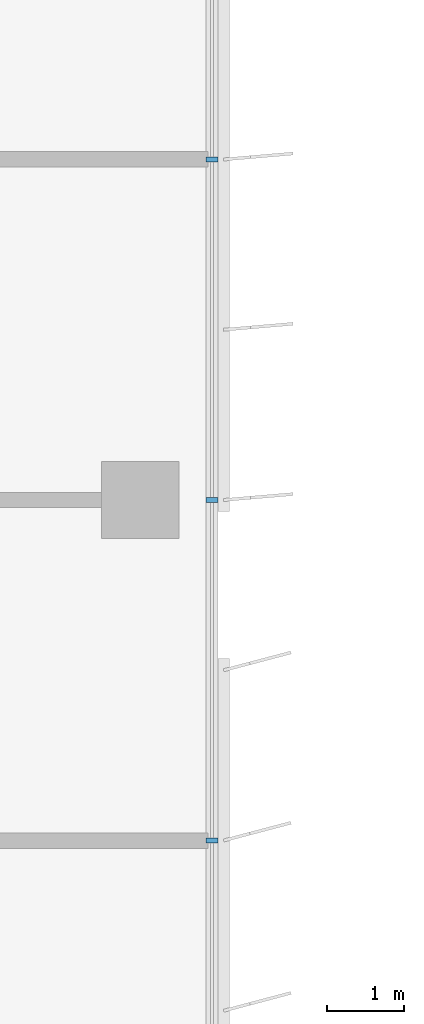
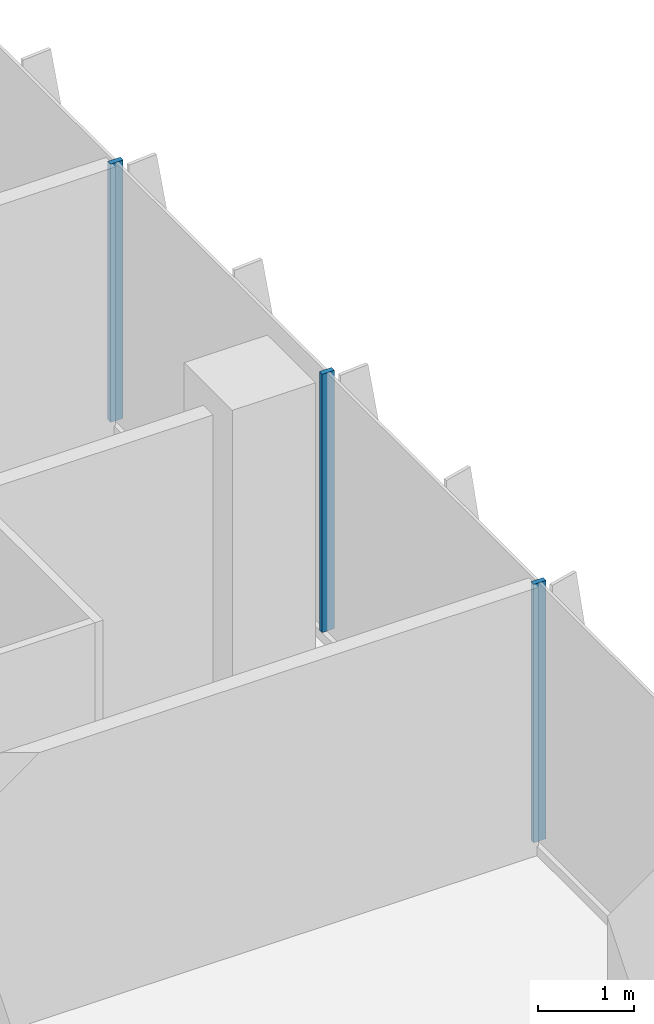
# One storey, part 5 of 21: 3 members, 1 element without a shape of its own.
"""IFC4 building model written with IfcOpenShell, lengths in metres."""

from ifc_helpers import new_model, si_unit, direction, frame, origin, origin_2d, place, context, subcontext, project, spatial, rectangle, extrude, source, transform, mapped, material, material_profile, profile_set, type_object, element, aggregate, save


model = new_model("IFC4")

# Units and contexts
model_context = context("Model", 3, precision=1e-05, world=origin(), true_north=direction((0.0, 1.0)))
body_context = subcontext(model_context, "Body", "Model", "MODEL_VIEW")
ifc_project = project(units=[si_unit("LENGTHUNIT", "METRE"), si_unit("AREAUNIT", "SQUARE_METRE"), si_unit("VOLUMEUNIT", "CUBIC_METRE"), si_unit("PLANEANGLEUNIT", "RADIAN"), si_unit("MASSUNIT", "GRAM", prefix="KILO")], contexts=[model_context])

# Site, building, storey
site_placement = place(None, origin())
site = spatial("IfcSite", under=ifc_project, at=site_placement, CompositionType="ELEMENT")
building_placement = place(site_placement, origin())
building = spatial("IfcBuilding", under=site, at=building_placement, Name="Kemantara Hotel Tower", CompositionType="ELEMENT")
storey_placement = place(building_placement, frame((0.0, 0.0, 215.39990234375)))
storey = spatial("IfcBuildingStorey", under=building, at=storey_placement, Name="L53", CompositionType="ELEMENT", Elevation=215.39990234375)

# Curtain wall, members
ifc_material_1 = material(Name="Low-E tinted double insulated glass 36 mm", Category="glass")
curtain_wall_type = type_object("IfcCurtainWallType", Name="TOWER CURTAIN WALL, FRONT FACES", PredefinedType="USERDEFINED", material=ifc_material_1)
curtain_wall_placement = place(storey_placement, origin())
curtain_wall = element("IfcCurtainWall", 1, at=curtain_wall_placement, inside=storey, type_object=curtain_wall_type, Name="CW4 L53 T3-R17-1", ObjectType="TOWER CURTAIN WALL, FRONT FACES", PredefinedType="USERDEFINED")
ifc_material_2 = material(Name="Aluminium 6063-T6 bronze anodised", Category="aluminium")
ifc_material_profile = material_profile(ifc_material_2, rectangle(XDim=0.14990234375, YDim=0.06005859375, at=origin_2d()), Name="TOWER CURTAIN WALL, FRONT FACES MULLION")
ifc_profile_set = profile_set([ifc_material_profile], Name="Aluminium 6063-T6 bronze anodised")
member_type = type_object("IfcMemberType", Name="TOWER CURTAIN WALL, FRONT FACES MULLION", PredefinedType="MULLION", material=ifc_profile_set)
shared_shape = source(origin(), body_context, "Body", "SweptSolid", [
    extrude(rectangle(XDim=0.14990234375, YDim=0.06005859375, at=origin_2d()), origin(), (0.0, 0.0, 1.0), 3.280029296875),
])
member_1_placement = place(storey_placement, frame((21.925048828125, 31.800048828125, 0.1201171875), z_axis=(0.0, 0.0, 1.0), x_axis=(-1.0, 0.0, 0.0)))
member_1 = element("IfcMember", 2, at=member_1_placement, type_object=member_type, Name="CW4 mullion T3-R17-1.3", PredefinedType="MULLION", context=body_context, shape_type="MappedRepresentation", body=[
    mapped(shared_shape, transform((0.0, 0.0, 0.0))),
])
member_2_placement = place(storey_placement, frame((21.925048828125, 36.199951171875, 0.1201171875), z_axis=(0.0, 0.0, 1.0), x_axis=(-1.0, 0.0, 0.0)))
member_2 = element("IfcMember", 3, at=member_2_placement, type_object=member_type, Name="CW4 mullion T3-R17-1.4", PredefinedType="MULLION", context=body_context, shape_type="MappedRepresentation", body=[
    mapped(shared_shape, transform((0.0, 0.0, 0.0))),
])
member_3_placement = place(storey_placement, frame((21.925048828125, 40.60009765625, 0.1201171875), z_axis=(0.0, 0.0, 1.0), x_axis=(-1.0, 0.0, 0.0)))
member_3 = element("IfcMember", 4, at=member_3_placement, type_object=member_type, Name="CW4 mullion T3-R17-1.5", PredefinedType="MULLION", context=body_context, shape_type="MappedRepresentation", body=[
    mapped(shared_shape, transform((0.0, 0.0, 0.0))),
])
aggregate(curtain_wall, [member_1, member_2, member_3])

save(model, "model.ifc")
